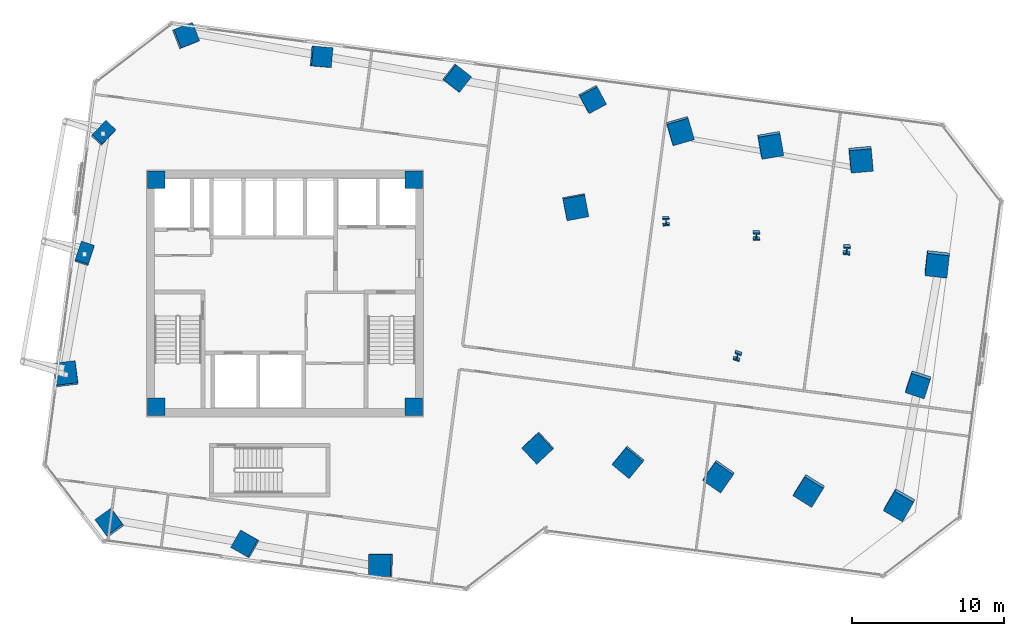
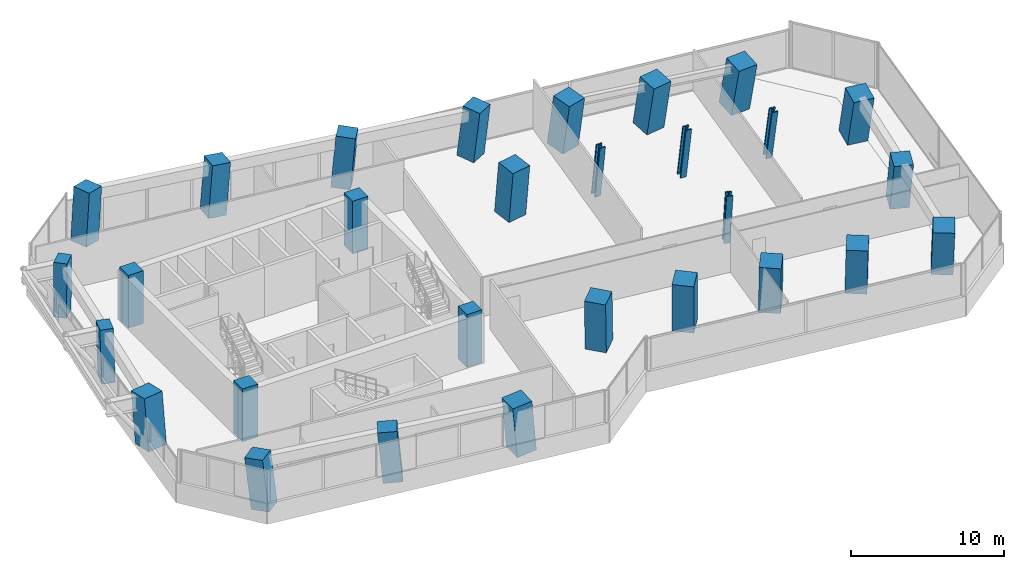
# One storey, part 1 of 24: 29 columns.
"""IFC4 building model written with IfcOpenShell, lengths in metres."""

from ifc_helpers import new_model, si_unit, direction, frame, origin, origin_2d, place, context, subcontext, project, spatial, rectangle, i_section, extrude, clip, halfspace, source, transform, mapped, material, material_profile, profile_set, type_object, element, save


model = new_model("IFC4")

# Units and contexts
model_context = context("Model", 3, precision=1e-05, world=origin(), true_north=direction((0.0, 1.0)))
body_context = subcontext(model_context, "Body", "Model", "MODEL_VIEW")
ifc_project = project(units=[si_unit("LENGTHUNIT", "METRE"), si_unit("AREAUNIT", "SQUARE_METRE"), si_unit("VOLUMEUNIT", "CUBIC_METRE"), si_unit("PLANEANGLEUNIT", "RADIAN"), si_unit("MASSUNIT", "GRAM", prefix="KILO")], contexts=[model_context])

# Site, building, storey
site_placement = place(None, origin())
site = spatial("IfcSite", under=ifc_project, at=site_placement, CompositionType="ELEMENT")
building_placement = place(site_placement, origin())
building = spatial("IfcBuilding", under=site, at=building_placement, Name="Torre Montelarca", CompositionType="ELEMENT")
storey_placement = place(building_placement, frame((0.0, 0.0, 70.60009765625)))
storey = spatial("IfcBuildingStorey", under=building, at=storey_placement, Name="L15", CompositionType="ELEMENT", Elevation=70.60009765625)

# Columns
ifc_material_1 = material(Name="Concrete C55/67", Category="concrete")
ifc_material_profile_1 = material_profile(ifc_material_1, rectangle(XDim=0.89990234375, YDim=1.300048828125, at=origin_2d()), Name="RC1300X900", Category="concrete")
ifc_profile_set_1 = profile_set([ifc_material_profile_1], Name="Concrete C55/67")
column_type_1 = type_object("IfcColumnType", Name="COL-PIL1300-EXT", PredefinedType="PILASTER", material=ifc_profile_set_1)
column_1_placement = place(storey_placement, frame((4.84619140625, 34.563232421875, 0.0), z_axis=(0.014187436859, 0.086051147642, 0.996189699116), x_axis=(0.950543561486, -0.310307784871, 0.013267115954)))
element("IfcColumn", 1, at=column_1_placement, inside=storey, type_object=column_type_1, Name="L15 Column 1W/E", PredefinedType="PILASTER", context=body_context, shape_type="Clipping", body=[
    clip(clip(extrude(rectangle(XDim=0.89990234375, YDim=1.300048828125, at=origin_2d()), origin(), (0.0, 0.0, 1.0), 4.216064453125), halfspace(frame((0.0, 0.0, 0.06298828125), z_axis=(0.0, 0.0, -1.0), x_axis=(1.0, 0.0, 0.0)), False)), halfspace(frame((0.0, 0.0, 4.153076171875), z_axis=(0.0, 0.0, 1.0), x_axis=(1.0, 0.0, 0.0)), False)),
])
column_2_placement = place(storey_placement, frame((6.06298828125, 42.47021484375, 0.0), z_axis=(0.055023356479, 0.079208175625, 0.995338382238), x_axis=(0.725340794557, -0.688233594609, 0.014671434947)))
element("IfcColumn", 2, at=column_2_placement, inside=storey, type_object=column_type_1, Name="L15 Column 1W/F", PredefinedType="PILASTER", context=body_context, shape_type="Clipping", body=[
    clip(clip(extrude(rectangle(XDim=0.89990234375, YDim=1.300048828125, at=origin_2d()), origin(), (0.0, 0.0, 1.0), 4.2197265625), halfspace(frame((0.0, 0.0, 0.069580078125), z_axis=(0.0, 0.0, -1.0), x_axis=(1.0, 0.0, 0.0)), False)), halfspace(frame((0.0, 0.0, 4.150146484375), z_axis=(0.0, 0.0, 1.0), x_axis=(1.0, 0.0, 0.0)), False)),
])
ifc_material_2 = material(Name="Concrete C70/85", Category="concrete")
ifc_material_profile_2 = material_profile(ifc_material_2, rectangle(XDim=1.300048828125, YDim=1.300048828125, at=origin_2d()), Name="RC1300X1300", Category="concrete")
ifc_profile_set_2 = profile_set([ifc_material_profile_2], Name="Concrete C70/85")
column_type_2 = type_object("IfcColumnType", Name="COL-RC1300-EXT", PredefinedType="COLUMN", material=ifc_profile_set_2)
column_3_placement = place(storey_placement, frame((6.529052734375, 16.901611328125, 0.0), z_axis=(-0.077133355222, 0.078173355518, 0.993951393177), x_axis=(0.809739835594, 0.586551189013, 0.016706325745)))
element("IfcColumn", 3, at=column_3_placement, inside=storey, type_object=column_type_2, Name="L15 Column 2/CS", PredefinedType="COLUMN", context=body_context, shape_type="Clipping", body=[
    clip(clip(extrude(rectangle(XDim=1.300048828125, YDim=1.300048828125, at=origin_2d()), origin(), (0.0, 0.0, 1.0), 4.2255859375), halfspace(frame((0.0, 0.0, 0.08251953125), z_axis=(0.0, 0.0, -1.0), x_axis=(1.0, 0.0, 0.0)), False)), halfspace(frame((0.0, 0.0, 4.14306640625), z_axis=(0.0, 0.0, 1.0), x_axis=(1.0, 0.0, 0.0)), False)),
])
column_4_placement = place(storey_placement, frame((11.4501953125, 48.875244140625, 0.0), z_axis=(0.087784728528, 0.0509475269, 0.994835760787), x_axis=(0.365223858313, -0.930791670435, 0.015440193265)))
element("IfcColumn", 4, at=column_4_placement, inside=storey, type_object=column_type_2, Name="L15 Column 2/GN", PredefinedType="COLUMN", context=body_context, shape_type="Clipping", body=[
    clip(clip(extrude(rectangle(XDim=1.300048828125, YDim=1.300048828125, at=origin_2d()), origin(), (0.0, 0.0, 1.0), 4.2216796875), halfspace(frame((0.0, 0.0, 0.076416015625), z_axis=(0.0, 0.0, -1.0), x_axis=(1.0, 0.0, 0.0)), False)), halfspace(frame((0.0, 0.0, 4.145263671875), z_axis=(0.0, 0.0, 1.0), x_axis=(1.0, 0.0, 0.0)), False)),
])
column_5_placement = place(storey_placement, frame((15.42431640625, 15.53271484375, 0.0), z_axis=(-0.084865472679, 0.032360026758, 0.99586679843), x_axis=(0.493693256942, 0.8695263459, 0.01381672309)))
element("IfcColumn", 5, at=column_5_placement, inside=storey, type_object=column_type_2, Name="L15 Column 3/CS", PredefinedType="COLUMN", context=body_context, shape_type="Clipping", body=[
    clip(clip(extrude(rectangle(XDim=1.300048828125, YDim=1.300048828125, at=origin_2d()), origin(), (0.0, 0.0, 1.0), 4.21728515625), halfspace(frame((0.0, 0.0, 0.068359375), z_axis=(0.0, 0.0, -1.0), x_axis=(1.0, 0.0, 0.0)), False)), halfspace(frame((0.0, 0.0, 4.14892578125), z_axis=(0.0, 0.0, 1.0), x_axis=(1.0, 0.0, 0.0)), False)),
])
column_6_placement = place(storey_placement, frame((20.345458984375, 47.506103515625, 0.0), z_axis=(0.080306079935, 0.005098798726, 0.996757210045), x_axis=(-0.088698367744, -0.995983311457, 0.012241031745)))
element("IfcColumn", 6, at=column_6_placement, inside=storey, type_object=column_type_2, Name="L15 Column 3/GN", PredefinedType="COLUMN", context=body_context, shape_type="Clipping", body=[
    clip(clip(extrude(rectangle(XDim=1.300048828125, YDim=1.300048828125, at=origin_2d()), origin(), (0.0, 0.0, 1.0), 4.213623046875), halfspace(frame((0.0, 0.0, 0.060546875), z_axis=(0.0, 0.0, -1.0), x_axis=(1.0, 0.0, 0.0)), False)), halfspace(frame((0.0, 0.0, 4.153076171875), z_axis=(0.0, 0.0, 1.0), x_axis=(1.0, 0.0, 0.0)), False)),
])
column_7_placement = place(storey_placement, frame((29.24072265625, 46.136962890625, 0.0), z_axis=(0.072698336794, -0.04083850792, 0.996517520216), x_axis=(-0.61623373126, -0.787461166869, 0.012684602109)))
element("IfcColumn", 7, at=column_7_placement, inside=storey, type_object=column_type_2, Name="L15 Column 4/GN", PredefinedType="COLUMN", context=body_context, shape_type="Clipping", body=[
    clip(clip(extrude(rectangle(XDim=1.300048828125, YDim=1.300048828125, at=origin_2d()), origin(), (0.0, 0.0, 1.0), 4.214599609375), halfspace(frame((0.0, 0.0, 0.062744140625), z_axis=(0.0, 0.0, -1.0), x_axis=(1.0, 0.0, 0.0)), False)), halfspace(frame((0.0, 0.0, 4.15185546875), z_axis=(0.0, 0.0, 1.0), x_axis=(1.0, 0.0, 0.0)), False)),
])
column_8_placement = place(storey_placement, frame((38.135986328125, 44.767822265625, 0.0), z_axis=(0.064953349582, -0.086623728669, 0.994121417137), x_axis=(-0.881477060982, -0.471939521486, 0.016470550127)))
element("IfcColumn", 8, at=column_8_placement, inside=storey, type_object=column_type_2, Name="L15 Column 5/GN", PredefinedType="COLUMN", context=body_context, shape_type="Clipping", body=[
    clip(clip(extrude(rectangle(XDim=1.300048828125, YDim=1.300048828125, at=origin_2d()), origin(), (0.0, 0.0, 1.0), 4.224853515625), halfspace(frame((0.0, 0.0, 0.08154296875), z_axis=(0.0, 0.0, -1.0), x_axis=(1.0, 0.0, 0.0)), False)), halfspace(frame((0.0, 0.0, 4.143310546875), z_axis=(0.0, 0.0, 1.0), x_axis=(1.0, 0.0, 0.0)), False)),
])
column_9_placement = place(storey_placement, frame((59.552001953125, 26.143310546875, 0.0), z_axis=(-0.03197715877, -0.193515960829, 0.980575868672), x_axis=(-0.950818708279, 0.308307488046, 0.029837506631)))
element("IfcColumn", 9, at=column_9_placement, inside=storey, type_object=column_type_2, Name="L15 Column 9/E", PredefinedType="COLUMN", context=body_context, shape_type="Clipping", body=[
    clip(clip(extrude(rectangle(XDim=1.300048828125, YDim=1.300048828125, at=origin_2d()), origin(), (0.0, 0.0, 1.0), 4.283203125), halfspace(frame((0.0, 0.0, 0.14892578125), z_axis=(0.0, 0.0, -1.0), x_axis=(1.0, 0.0, 0.0)), False)), halfspace(frame((0.0, 0.0, 4.13427734375), z_axis=(0.0, 0.0, 1.0), x_axis=(1.0, 0.0, 0.0)), False)),
])
ifc_material_profile_3 = material_profile(ifc_material_2, rectangle(XDim=1.449951171875, YDim=1.449951171875, at=origin_2d()), Name="RC1450X1450", Category="concrete")
ifc_profile_set_3 = profile_set([ifc_material_profile_3], Name="Concrete C70/85")
column_type_3 = type_object("IfcColumnType", Name="COL-RC1450", PredefinedType="COLUMN", material=ifc_profile_set_3)
for number, where, z_axis, x_axis, name in (
    (10, (34.6142578125, 21.88720703125, 0.0), (-0.053108414123, -0.067297685072, 0.99631848218), (-0.681975421827, 0.731258809044, 0.013041404074), "L15 Column 5/D"),
    (11, (37.048095703125, 37.701171875, 0.0), (0.028668122847, -0.080791982568, 0.996318620866), (-0.982143590561, -0.18768030183, 0.013041158884), "L15 Column 5/F"),
):
    element("IfcColumn", number, at=place(storey_placement, frame(where, z_axis=z_axis, x_axis=x_axis)), inside=storey, type_object=column_type_3, Name=name, PredefinedType="COLUMN", context=body_context, shape_type="Clipping", body=[
        clip(clip(extrude(rectangle(XDim=1.449951171875, YDim=1.449951171875, at=origin_2d()), origin(), (0.0, 0.0, 1.0), 4.215576171875), halfspace(frame((0.0, 0.0, 0.07177734375), z_axis=(0.0, 0.0, -1.0), x_axis=(1.0, 0.0, 0.0)), False)), halfspace(frame((0.0, 0.0, 4.143798828125), z_axis=(0.0, 0.0, 1.0), x_axis=(1.0, 0.0, 0.0)), False)),
    ])
column_10_placement = place(storey_placement, frame((40.54443359375, 20.974609375, 0.0), z_axis=(-0.057984263369, -0.097660746371, 0.993529166064), x_axis=(-0.772693676035, 0.634543900817, 0.017277758853)))
element("IfcColumn", 12, at=column_10_placement, inside=storey, type_object=column_type_3, Name="L15 Column 6/D", PredefinedType="COLUMN", context=body_context, shape_type="Clipping", body=[
    clip(clip(extrude(rectangle(XDim=1.449951171875, YDim=1.449951171875, at=origin_2d()), origin(), (0.0, 0.0, 1.0), 4.227294921875), halfspace(frame((0.0, 0.0, 0.09521484375), z_axis=(0.0, 0.0, -1.0), x_axis=(1.0, 0.0, 0.0)), False)), halfspace(frame((0.0, 0.0, 4.132080078125), z_axis=(0.0, 0.0, 1.0), x_axis=(1.0, 0.0, 0.0)), False)),
])
column_11_placement = place(storey_placement, frame((43.89111328125, 42.718505859375, 0.0), z_axis=(0.053962386777, -0.115938418599, 0.991789465515), x_axis=(-0.9597220403, -0.280276928816, 0.019453753756)))
element("IfcColumn", 13, at=column_11_placement, inside=storey, type_object=column_type_3, Name="L15 Column 6/G", PredefinedType="COLUMN", context=body_context, shape_type="Clipping", body=[
    clip(clip(extrude(rectangle(XDim=1.449951171875, YDim=1.449951171875, at=origin_2d()), origin(), (0.0, 0.0, 1.0), 4.234619140625), halfspace(frame((0.0, 0.0, 0.107421875), z_axis=(0.0, 0.0, -1.0), x_axis=(1.0, 0.0, 0.0)), False)), halfspace(frame((0.0, 0.0, 4.127197265625), z_axis=(0.0, 0.0, 1.0), x_axis=(1.0, 0.0, 0.0)), False)),
])
column_12_placement = place(storey_placement, frame((46.474609375, 20.061767578125, 0.0), z_axis=(-0.06277402471, -0.127676957682, 0.98982726589), x_axis=(-0.820518646619, 0.571209874027, 0.021643252166)))
element("IfcColumn", 14, at=column_12_placement, inside=storey, type_object=column_type_3, Name="L15 Column 7/D", PredefinedType="COLUMN", context=body_context, shape_type="Clipping", body=[
    clip(clip(extrude(rectangle(XDim=1.449951171875, YDim=1.449951171875, at=origin_2d()), origin(), (0.0, 0.0, 1.0), 4.2431640625), halfspace(frame((0.0, 0.0, 0.11962890625), z_axis=(0.0, 0.0, -1.0), x_axis=(1.0, 0.0, 0.0)), False)), halfspace(frame((0.0, 0.0, 4.12353515625), z_axis=(0.0, 0.0, 1.0), x_axis=(1.0, 0.0, 0.0)), False)),
])
column_13_placement = place(storey_placement, frame((49.8212890625, 41.805908203125, 0.0), z_axis=(0.048764064731, -0.145947571829, 0.988089759216), x_axis=(-0.985054138532, -0.170646958997, 0.023408535767)))
element("IfcColumn", 15, at=column_13_placement, inside=storey, type_object=column_type_3, Name="L15 Column 7/G", PredefinedType="COLUMN", context=body_context, shape_type="Clipping", body=[
    clip(clip(extrude(rectangle(XDim=1.449951171875, YDim=1.449951171875, at=origin_2d()), origin(), (0.0, 0.0, 1.0), 4.25048828125), halfspace(frame((0.0, 0.0, 0.12939453125), z_axis=(0.0, 0.0, -1.0), x_axis=(1.0, 0.0, 0.0)), False)), halfspace(frame((0.0, 0.0, 4.12109375), z_axis=(0.0, 0.0, 1.0), x_axis=(1.0, 0.0, 0.0)), False)),
])
column_14_placement = place(storey_placement, frame((52.40478515625, 19.149169921875, 0.0), z_axis=(-0.067464483567, -0.157436218442, 0.985221995583), x_axis=(-0.849431935336, 0.527054522787, 0.026056040418)))
element("IfcColumn", 16, at=column_14_placement, inside=storey, type_object=column_type_3, Name="L15 Column 8/D", PredefinedType="COLUMN", context=body_context, shape_type="Clipping", body=[
    clip(clip(extrude(rectangle(XDim=1.449951171875, YDim=1.449951171875, at=origin_2d()), origin(), (0.0, 0.0, 1.0), 4.262939453125), halfspace(frame((0.0, 0.0, 0.14453125), z_axis=(0.0, 0.0, -1.0), x_axis=(1.0, 0.0, 0.0)), False)), halfspace(frame((0.0, 0.0, 4.118408203125), z_axis=(0.0, 0.0, 1.0), x_axis=(1.0, 0.0, 0.0)), False)),
])
column_15_placement = place(storey_placement, frame((55.75146484375, 40.89306640625, 0.0), z_axis=(0.04350766253, -0.17545994258, 0.983524728642), x_axis=(-0.995318492327, -0.092654489615, 0.027499897927)))
element("IfcColumn", 17, at=column_15_placement, inside=storey, type_object=column_type_3, Name="L15 Column 8/G", PredefinedType="COLUMN", context=body_context, shape_type="Clipping", body=[
    clip(clip(extrude(rectangle(XDim=1.449951171875, YDim=1.449951171875, at=origin_2d()), origin(), (0.0, 0.0, 1.0), 4.270263671875), halfspace(frame((0.0, 0.0, 0.15283203125), z_axis=(0.0, 0.0, -1.0), x_axis=(1.0, 0.0, 0.0)), False)), halfspace(frame((0.0, 0.0, 4.117431640625), z_axis=(0.0, 0.0, 1.0), x_axis=(1.0, 0.0, 0.0)), False)),
])
ifc_material_profile_4 = material_profile(ifc_material_2, rectangle(XDim=1.449951171875, YDim=1.449951171875, at=origin_2d()), Name="RC1450X1450", Category="concrete")
ifc_profile_set_4 = profile_set([ifc_material_profile_4], Name="Concrete C70/85")
column_type_4 = type_object("IfcColumnType", Name="COL-RC1450-EXT", PredefinedType="COLUMN", material=ifc_profile_set_4)
column_16_placement = place(storey_placement, frame((24.319580078125, 14.16357421875, 0.0), z_axis=(-0.092426651612, -0.013600665704, 0.995626604689), x_axis=(0.005955662025, 0.999881272271, 0.01421166606)))
element("IfcColumn", 18, at=column_16_placement, inside=storey, type_object=column_type_4, Name="L15 Perimeter Mega Column 4/CS", PredefinedType="COLUMN", context=body_context, shape_type="Clipping", body=[
    clip(clip(extrude(rectangle(XDim=1.449951171875, YDim=1.449951171875, at=origin_2d()), origin(), (0.0, 0.0, 1.0), 4.218505859375), halfspace(frame((0.0, 0.0, 0.078369140625), z_axis=(0.0, 0.0, -1.0), x_axis=(1.0, 0.0, 0.0)), False)), halfspace(frame((0.0, 0.0, 4.14013671875), z_axis=(0.0, 0.0, 1.0), x_axis=(1.0, 0.0, 0.0)), False)),
])
for number, where, z_axis, x_axis, name in (
    (19, (58.3349609375, 18.236328125, 0.0), (-0.072102962182, -0.186693135887, 0.979768766525), (-0.868291518167, 0.495119125256, 0.030444889298), "L15 Perimeter Mega Column 9/D"),
    (20, (60.768798828125, 34.050048828125, 0.0), (0.008258330783, -0.199908558947, 0.97977975486), (-0.993671221065, 0.108125443028, 0.030436704766), "L15 Perimeter Mega Column 9/F"),
):
    element("IfcColumn", number, at=place(storey_placement, frame(where, z_axis=z_axis, x_axis=x_axis)), inside=storey, type_object=column_type_4, Name=name, PredefinedType="COLUMN", context=body_context, shape_type="Clipping", body=[
        clip(clip(extrude(rectangle(XDim=1.449951171875, YDim=1.449951171875, at=origin_2d()), origin(), (0.0, 0.0, 1.0), 4.28662109375), halfspace(frame((0.0, 0.0, 0.169677734375), z_axis=(0.0, 0.0, -1.0), x_axis=(1.0, 0.0, 0.0)), False)), halfspace(frame((0.0, 0.0, 4.116943359375), z_axis=(0.0, 0.0, 1.0), x_axis=(1.0, 0.0, 0.0)), False)),
    ])
column_17_placement = place(storey_placement, frame((3.629150390625, 26.656494140625, 0.0), z_axis=(-0.026614897603, 0.092689273825, 0.995339311865), x_axis=(0.991763070774, 0.127243087325, 0.014669975392)))
element("IfcColumn", 21, at=column_17_placement, inside=storey, type_object=column_type_4, Name="L15 Perimeter Mega Column 1W/D", PredefinedType="COLUMN", context=body_context, shape_type="Clipping", body=[
    clip(clip(extrude(rectangle(XDim=1.449951171875, YDim=1.449951171875, at=origin_2d()), origin(), (0.0, 0.0, 1.0), 4.2197265625), halfspace(frame((0.0, 0.0, 0.080810546875), z_axis=(0.0, 0.0, -1.0), x_axis=(1.0, 0.0, 0.0)), False)), halfspace(frame((0.0, 0.0, 4.138916015625), z_axis=(0.0, 0.0, 1.0), x_axis=(1.0, 0.0, 0.0)), False)),
])
ifc_material_3 = material(Name="Steel ASTM A992 Grade 50", Category="steel")
ifc_material_profile_5 = material_profile(ifc_material_3, i_section(OverallWidth=0.431884765625, OverallDepth=0.498046875, WebThickness=0.0556640625, FlangeThickness=0.0888671875, FilletRadius=0.014892578125, at=origin_2d()), Name="W360X744", Category="steel")
ifc_profile_set_5 = profile_set([ifc_material_profile_5], Name="Steel ASTM A992 Grade 50")
column_type_5 = type_object("IfcColumnType", Name="COL-W360X744", PredefinedType="COLUMN", material=ifc_profile_set_5)
column_18_placement = place(storey_placement, frame((42.978515625, 36.788330078125, 0.0), z_axis=(0.023447854256, -0.111117417708, 0.993530632448), x_axis=(-0.998270833842, -0.05618619741, 0.017275807401)))
element("IfcColumn", 22, at=column_18_placement, inside=storey, type_object=column_type_5, Name="L15 Column 6/F", PredefinedType="COLUMN", context=body_context, shape_type="Clipping", body=[
    clip(clip(extrude(i_section(OverallWidth=0.431884765625, OverallDepth=0.498046875, WebThickness=0.0556640625, FlangeThickness=0.0888671875, FilletRadius=0.014892578125, at=origin_2d()), origin(), (0.0, 0.0, 1.0), 4.227294921875), halfspace(frame((0.0, 0.0, 0.03271484375), z_axis=(0.0, 0.0, -1.0), x_axis=(1.0, 0.0, 0.0)), False)), halfspace(frame((0.0, 0.0, 4.194580078125), z_axis=(0.0, 0.0, 1.0), x_axis=(1.0, 0.0, 0.0)), False)),
])
column_19_placement = place(storey_placement, frame((47.691650390625, 27.96875, 0.0), z_axis=(-0.022228231983, -0.134578699856, 0.990653561669), x_axis=(-0.950591081716, 0.309751570207, 0.02074994257)))
element("IfcColumn", 23, at=column_19_placement, inside=storey, type_object=column_type_5, Name="L15 Column 7/E", PredefinedType="COLUMN", context=body_context, shape_type="Clipping", body=[
    clip(clip(extrude(i_section(OverallWidth=0.431884765625, OverallDepth=0.498046875, WebThickness=0.0556640625, FlangeThickness=0.0888671875, FilletRadius=0.014892578125, at=origin_2d()), origin(), (0.0, 0.0, 1.0), 4.239501953125), halfspace(frame((0.0, 0.0, 0.0390625), z_axis=(0.0, 0.0, -1.0), x_axis=(1.0, 0.0, 0.0)), False)), halfspace(frame((0.0, 0.0, 4.200439453125), z_axis=(0.0, 0.0, 1.0), x_axis=(1.0, 0.0, 0.0)), False)),
])
column_20_placement = place(storey_placement, frame((48.90869140625, 35.87548828125, 0.0), z_axis=(0.018354646883, -0.141083367265, 0.9898275559), x_axis=(-0.99952787688, 0.021808398895, 0.021642945231)))
element("IfcColumn", 24, at=column_20_placement, inside=storey, type_object=column_type_5, Name="L15 Column 7/F", PredefinedType="COLUMN", context=body_context, shape_type="Clipping", body=[
    clip(clip(extrude(i_section(OverallWidth=0.431884765625, OverallDepth=0.498046875, WebThickness=0.0556640625, FlangeThickness=0.0888671875, FilletRadius=0.014892578125, at=origin_2d()), origin(), (0.0, 0.0, 1.0), 4.2431640625), halfspace(frame((0.0, 0.0, 0.040771484375), z_axis=(0.0, 0.0, -1.0), x_axis=(1.0, 0.0, 0.0)), False)), halfspace(frame((0.0, 0.0, 4.202392578125), z_axis=(0.0, 0.0, 1.0), x_axis=(1.0, 0.0, 0.0)), False)),
])
column_21_placement = place(storey_placement, frame((54.838623046875, 34.962890625, 0.0), z_axis=(0.013343951587, -0.170779672247, 0.985218880505), x_axis=(-0.997033163433, 0.072427976138, 0.026058766025)))
element("IfcColumn", 25, at=column_21_placement, inside=storey, type_object=column_type_5, Name="L15 Column 8/F", PredefinedType="COLUMN", context=body_context, shape_type="Clipping", body=[
    clip(clip(extrude(i_section(OverallWidth=0.431884765625, OverallDepth=0.498046875, WebThickness=0.0556640625, FlangeThickness=0.0888671875, FilletRadius=0.014892578125, at=origin_2d()), origin(), (0.0, 0.0, 1.0), 4.262939453125), halfspace(frame((0.0, 0.0, 0.04931640625), z_axis=(0.0, 0.0, -1.0), x_axis=(1.0, 0.0, 0.0)), False)), halfspace(frame((0.0, 0.0, 4.213623046875), z_axis=(0.0, 0.0, 1.0), x_axis=(1.0, 0.0, 0.0)), False)),
])
ifc_material_profile_6 = material_profile(ifc_material_1, rectangle(XDim=1.14990234375, YDim=1.14990234375, at=origin_2d()), Name="RC1150X1150", Category="concrete")
ifc_profile_set_6 = profile_set([ifc_material_profile_6], Name="Concrete C55/67")
column_type_6 = type_object("IfcColumnType", Name="COL-RC1150", PredefinedType="COLUMN", material=ifc_profile_set_6)
shared_shape = source(origin(), body_context, "Body", "SweptSolid", [
    extrude(rectangle(XDim=1.14990234375, YDim=1.14990234375, at=origin_2d()), origin(), (0.0, 0.0, 1.0), 4.198486328125),
])
for number, where, z_axis, x_axis, name in (
    (26, (9.550048828125, 24.550048828125, 0.000732421875), (0.0, 0.0, 1.0), (1.0, 0.0, 0.0), "L15 Plumb Core Corner Column 2D"),
    (27, (26.449951171875, 24.550048828125, 0.000732421875), (0.0, 0.0, 1.0), (1.0, 0.0, 0.0), "L15 Plumb Core Corner Column 4D"),
    (28, (9.550048828125, 39.449951171875, 0.000732421875), (0.0, 0.0, 1.0), (1.0, 0.0, 0.0), "L15 Plumb Core Corner Column 2F"),
    (29, (26.449951171875, 39.449951171875, 0.000732421875), (0.0, 0.0, 1.0), (1.0, 0.0, 0.0), "L15 Plumb Core Corner Column 4F"),
):
    element("IfcColumn", number, at=place(storey_placement, frame(where, z_axis=z_axis, x_axis=x_axis)), inside=storey, type_object=column_type_6, Name=name, PredefinedType="COLUMN", context=body_context, shape_type="MappedRepresentation", body=[
        mapped(shared_shape, transform((0.0, 0.0, 0.0), scale=1.0)),
    ])

save(model, "model.ifc")
